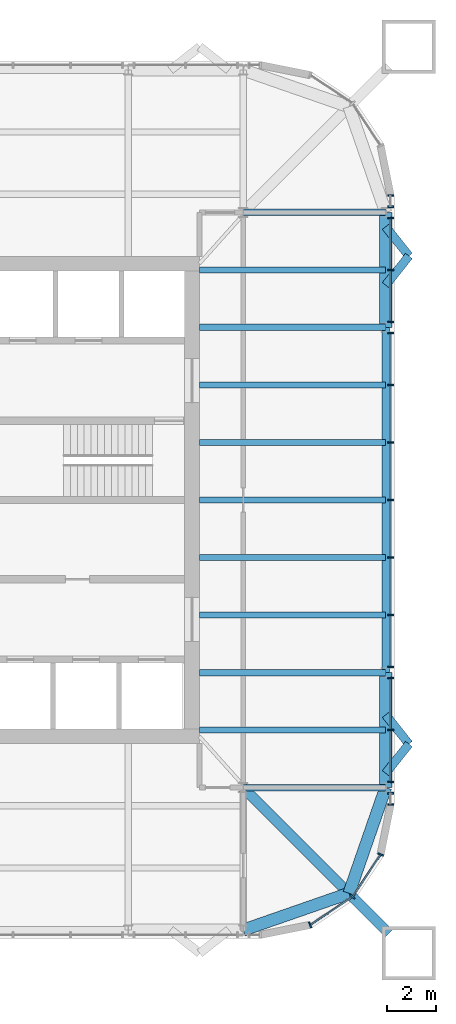
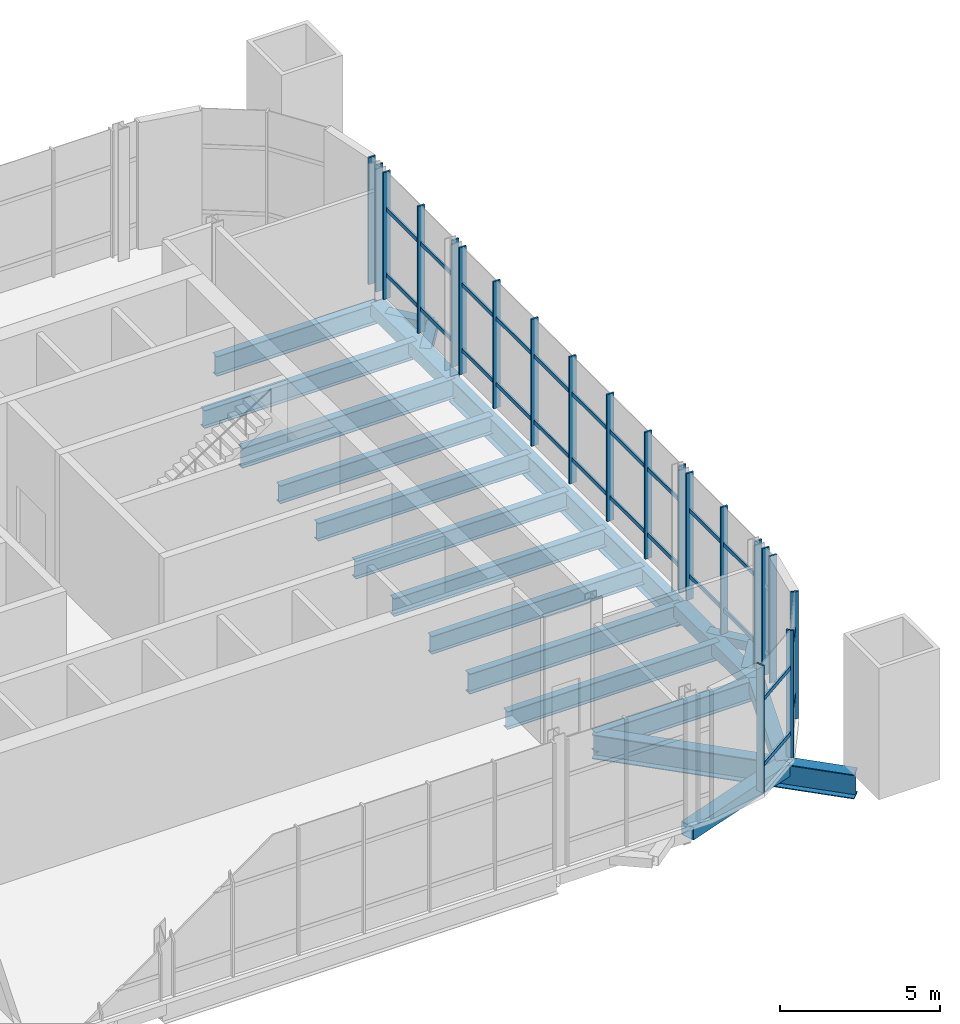
# One storey, part 4 of 15: 44 members, 21 beams, 6 elements without a shape of their own.
"""IFC4 building model written with IfcOpenShell, lengths in metres."""

from ifc_helpers import new_model, si_unit, direction, frame, origin, origin_2d, place, context, subcontext, project, spatial, rectangle, hollow_rectangle, i_section, extrude, material, material_profile, profile_set, type_object, element, aggregate, save


model = new_model("IFC4")

# Units and contexts
model_context = context("Model", 3, precision=1e-05, world=origin(), true_north=direction((0.0, 1.0)))
body_context = subcontext(model_context, "Body", "Model", "MODEL_VIEW")
ifc_project = project(units=[si_unit("LENGTHUNIT", "METRE"), si_unit("AREAUNIT", "SQUARE_METRE"), si_unit("VOLUMEUNIT", "CUBIC_METRE"), si_unit("PLANEANGLEUNIT", "RADIAN"), si_unit("MASSUNIT", "GRAM", prefix="KILO")], contexts=[model_context])

# Site, building, storey
site_placement = place(None, origin())
site = spatial("IfcSite", under=ifc_project, at=site_placement, CompositionType="ELEMENT")
building_placement = place(site_placement, origin())
building = spatial("IfcBuilding", under=site, at=building_placement, Name="Turquesa Mirador Hotel Tower", CompositionType="ELEMENT")
storey_placement = place(building_placement, frame((0.0, 0.0, 261.699951171875)))
storey = spatial("IfcBuildingStorey", under=building, at=storey_placement, Name="L71", CompositionType="ELEMENT", Elevation=261.699951171875)

# Beams
ifc_material_1 = material(Name="Steel ASTM A572 Grade 50", Category="steel")
ifc_material_profile_1 = material_profile(ifc_material_1, hollow_rectangle(XDim=0.5, YDim=0.5, WallThickness=0.01611328125, at=origin_2d()), Name="BOX500X500X16")
ifc_profile_set_1 = profile_set([ifc_material_profile_1], Name="Steel ASTM A572 Grade 50")
beam_type_1 = type_object("IfcBeamType", Name="BEAM BOX500X500X16", PredefinedType="BEAM", material=ifc_profile_set_1)
for number, where, z_axis, x_axis, name in (
    (1, (72.64990234375, 33.199951171875, -0.419921875), (0.0, 1.0, 0.0), (-1.0, 0.0, 0.0), "EB-L71-E-L"),
    (2, (72.64990234375, 52.080078125, -0.419921875), (0.0, 1.0, 0.0), (-1.0, 0.0, 0.0), "EB-L71-E-R"),
):
    element("IfcBeam", number, at=place(storey_placement, frame(where, z_axis=z_axis, x_axis=x_axis)), inside=storey, type_object=beam_type_1, Name=name, PredefinedType="BEAM", context=body_context, shape_type="SweptSolid", body=[
        extrude(hollow_rectangle(XDim=0.5, YDim=0.5, WallThickness=0.01611328125, at=origin_2d()), origin(), (0.0, 0.0, 1.0), 4.719970703125),
    ])
for number, where, z_axis, x_axis, name in (
    (3, (72.64990234375, 33.199951171875, -0.419921875), (-0.328170356092, -0.944618556552, 0.0), (0.944618556552, -0.328170356092, 0.0), "KE-L71-4-0"),
    (4, (71.1416015625, 28.8583984375, -0.419921875), (-0.944618556552, -0.328170356092, 0.0), (0.328170356092, -0.944618556552, 0.0), "KE-L71-4-1"),
):
    element("IfcBeam", number, at=place(storey_placement, frame(where, z_axis=z_axis, x_axis=x_axis)), inside=storey, type_object=beam_type_1, Name=name, PredefinedType="BEAM", context=body_context, shape_type="SweptSolid", body=[
        extrude(hollow_rectangle(XDim=0.5, YDim=0.5, WallThickness=0.01611328125, at=origin_2d()), origin(), (0.0, 0.0, 1.0), 4.59619140625),
    ])
ifc_material_2 = material(Name="Steel ASTM A992 Grade 50", Category="steel")
ifc_material_profile_2 = material_profile(ifc_material_2, i_section(OverallWidth=0.25390625, OverallDepth=0.683349609375, WebThickness=0.012451171875, FlangeThickness=0.018798828125, at=origin_2d()), Name="W27X94")
ifc_profile_set_2 = profile_set([ifc_material_profile_2], Name="Steel ASTM A992 Grade 50")
beam_type_2 = type_object("IfcBeamType", Name="BEAM W27X94", PredefinedType="BEAM", material=ifc_profile_set_2)
for number, where, z_axis, x_axis, name in (
    (5, (72.64990234375, 35.56005859375, -0.511474609375), (-1.0, 0.0, 0.0), (0.0, -1.0, 0.0), "BM-L71-E--9.44"),
    (6, (72.64990234375, 40.280029296875, -0.511474609375), (-1.0, 0.0, 0.0), (0.0, -1.0, 0.0), "BM-L71-E--4.72"),
    (7, (72.64990234375, 42.639892578125, -0.511474609375), (-1.0, 0.0, 0.0), (0.0, -1.0, 0.0), "BM-L71-E--2.36"),
    (8, (72.64990234375, 45.0, -0.511474609375), (-1.0, 0.0, 0.0), (0.0, -1.0, 0.0), "BM-L71-E-+0.00"),
    (9, (72.64990234375, 47.360107421875, -0.511474609375), (-1.0, 0.0, 0.0), (0.0, -1.0, 0.0), "BM-L71-E-+2.36"),
    (10, (72.64990234375, 49.719970703125, -0.511474609375), (-1.0, 0.0, 0.0), (0.0, -1.0, 0.0), "BM-L71-E-+4.72"),
    (11, (72.64990234375, 54.43994140625, -0.511474609375), (-1.0, 0.0, 0.0), (0.0, -1.0, 0.0), "BM-L71-E-+9.44"),
):
    element("IfcBeam", number, at=place(storey_placement, frame(where, z_axis=z_axis, x_axis=x_axis)), inside=storey, type_object=beam_type_2, Name=name, PredefinedType="BEAM", context=body_context, shape_type="SweptSolid", body=[
        extrude(i_section(OverallWidth=0.25390625, OverallDepth=0.683349609375, WebThickness=0.012451171875, FlangeThickness=0.018798828125, at=origin_2d()), origin(), (0.0, 0.0, 1.0), 7.64990234375),
    ])
ifc_material_3 = material(Name="Steel ASTM A992 Grade 50", Category="steel")
ifc_material_profile_3 = material_profile(ifc_material_3, i_section(OverallWidth=0.2666015625, OverallDepth=0.761962890625, WebThickness=0.014404296875, FlangeThickness=0.021484375, at=origin_2d()), Name="W30X116")
ifc_profile_set_3 = profile_set([ifc_material_profile_3], Name="Steel ASTM A992 Grade 50")
beam_type_3 = type_object("IfcBeamType", Name="BEAM W30X116", PredefinedType="BEAM", material=ifc_profile_set_3)
for number, where, z_axis, x_axis, name in (
    (12, (72.64990234375, 37.919921875, -0.551025390625), (-1.0, 0.0, 0.0), (0.0, -1.0, 0.0), "GD-L71-E--7.08"),
    (13, (72.64990234375, 52.080078125, -0.551025390625), (-1.0, 0.0, 0.0), (0.0, -1.0, 0.0), "GD-L71-E-+7.08"),
):
    element("IfcBeam", number, at=place(storey_placement, frame(where, z_axis=z_axis, x_axis=x_axis)), inside=storey, type_object=beam_type_3, Name=name, PredefinedType="BEAM", context=body_context, shape_type="SweptSolid", body=[
        extrude(i_section(OverallWidth=0.2666015625, OverallDepth=0.761962890625, WebThickness=0.014404296875, FlangeThickness=0.021484375, at=origin_2d()), origin(), (0.0, 0.0, 1.0), 7.64990234375),
    ])
for number, where, z_axis, x_axis, name in (
    (14, (72.64990234375, 33.199951171875, -0.551025390625), (-1.0, 0.0, 0.0), (0.0, -1.0, 0.0), "GK-L71-E--11.80"),
    (15, (72.64990234375, 56.800048828125, -0.551025390625), (-1.0, 0.0, 0.0), (0.0, -1.0, 0.0), "GK-L71-E-+11.80"),
):
    element("IfcBeam", number, at=place(storey_placement, frame(where, z_axis=z_axis, x_axis=x_axis)), inside=storey, type_object=beam_type_3, Name=name, PredefinedType="BEAM", context=body_context, shape_type="SweptSolid", body=[
        extrude(i_section(OverallWidth=0.2666015625, OverallDepth=0.761962890625, WebThickness=0.014404296875, FlangeThickness=0.021484375, at=origin_2d()), origin(), (0.0, 0.0, 1.0), 5.849853515625),
    ])
ifc_material_4 = material(Name="Steel ASTM A992 Grade 50", Category="steel")
ifc_material_profile_4 = material_profile(ifc_material_4, i_section(OverallWidth=0.3046875, OverallDepth=0.911865234375, WebThickness=0.015869140625, FlangeThickness=0.02392578125, at=origin_2d()), Name="W36X150")
ifc_profile_set_4 = profile_set([ifc_material_profile_4], Name="Steel ASTM A992 Grade 50")
beam_type_4 = type_object("IfcBeamType", Name="BEAM W36X150", PredefinedType="BEAM", material=ifc_profile_set_4)
beam_1_placement = place(storey_placement, frame((72.64990234375, 37.919921875, -0.6259765625), z_axis=(0.0, 1.0, 0.0), x_axis=(-1.0, 0.0, 0.0)))
element("IfcBeam", 16, at=beam_1_placement, inside=storey, type_object=beam_type_4, Name="EB-L71-E-C", PredefinedType="BEAM", context=body_context, shape_type="SweptSolid", body=[
    extrude(i_section(OverallWidth=0.3046875, OverallDepth=0.911865234375, WebThickness=0.015869140625, FlangeThickness=0.02392578125, at=origin_2d()), origin(), (0.0, 0.0, 1.0), 14.16015625),
])
ifc_material_5 = material(Name="Steel ASTM A992 Grade 50", Category="steel")
ifc_material_profile_5 = material_profile(ifc_material_5, i_section(OverallWidth=0.419189453125, OverallDepth=0.927001953125, WebThickness=0.019287109375, FlangeThickness=0.031982421875, at=origin_2d()), Name="W36X231")
ifc_profile_set_5 = profile_set([ifc_material_profile_5], Name="Steel ASTM A992 Grade 50")
beam_type_5 = type_object("IfcBeamType", Name="BEAM W36X231", PredefinedType="BEAM", material=ifc_profile_set_5)
beam_2_placement = place(storey_placement, frame((66.800048828125, 33.199951171875, -0.633544921875), z_axis=(0.707106781187, -0.707106781187, 0.0), x_axis=(0.707106781187, 0.707106781187, 0.0)))
element("IfcBeam", 17, at=beam_2_placement, inside=storey, type_object=beam_type_5, Name="KD-L71-4", PredefinedType="BEAM", context=body_context, shape_type="SweptSolid", body=[
    extrude(i_section(OverallWidth=0.419189453125, OverallDepth=0.927001953125, WebThickness=0.019287109375, FlangeThickness=0.031982421875, at=origin_2d()), origin(), (0.0, 0.0, 1.0), 8.46240234375),
])
ifc_material_6 = material(Name="Steel ASTM A500 Grade C", Category="steel")
ifc_material_profile_6 = material_profile(ifc_material_6, hollow_rectangle(XDim=0.355712890625, YDim=0.355712890625, WallThickness=0.0146484375, at=origin_2d()), Name="HSS14X14X5/8")
ifc_profile_set_6 = profile_set([ifc_material_profile_6], Name="Steel ASTM A500 Grade C")
beam_type_6 = type_object("IfcBeamType", Name="BRACE STRUT HSS14X14X5/8", PredefinedType="BEAM", material=ifc_profile_set_6)
for number, where, z_axis, x_axis, name in (
    (18, (73.60009765625, 55.015380859375, -0.34765625), (-0.620796907089, -0.783971428146, 0.0), (0.783971428146, -0.620796907089, 0.0), "Brace strut"),
    (19, (73.60009765625, 55.015380859375, -0.34765625), (-0.620796907089, 0.783971428146, 0.0), (-0.783971428146, -0.620796907089, 0.0), "Brace strut"),
    (20, (73.60009765625, 34.984619140625, -0.34765625), (-0.620796907089, -0.783971428146, 0.0), (0.783971428146, -0.620796907089, 0.0), "Brace strut"),
    (21, (73.60009765625, 34.984619140625, -0.34765625), (-0.620796907089, 0.783971428146, 0.0), (-0.783971428146, -0.620796907089, 0.0), "Brace strut"),
):
    element("IfcBeam", number, at=place(storey_placement, frame(where, z_axis=z_axis, x_axis=x_axis)), inside=storey, type_object=beam_type_6, Name=name, PredefinedType="BEAM", context=body_context, shape_type="SweptSolid", body=[
        extrude(hollow_rectangle(XDim=0.355712890625, YDim=0.355712890625, WallThickness=0.0146484375, at=origin_2d()), origin(), (0.0, 0.0, 1.0), 1.530517578125),
    ])

# Curtain wall, members
ifc_material_7 = material(Name="Aluminium extrusion", Category="aluminium")
curtain_wall_type = type_object("IfcCurtainWallType", Name="CW-5 SKY RESTAURANT CURTAIN WALL", PredefinedType="USERDEFINED", material=ifc_material_7)
curtain_wall_1_placement = place(storey_placement, origin())
curtain_wall_1 = element("IfcCurtainWall", 22, at=curtain_wall_1_placement, inside=storey, type_object=curtain_wall_type, Name="CW-5 SKY RESTAURANT CURTAIN WALL L71", ObjectType="CURTAIN WALL", PredefinedType="USERDEFINED")
ifc_material_8 = material(Name="Aluminium extrusion", Category="aluminium")
ifc_material_profile_7 = material_profile(ifc_material_8, rectangle(XDim=0.06494140625, YDim=0.25, at=origin_2d()), Name="MULLION 65X250")
ifc_profile_set_7 = profile_set([ifc_material_profile_7], Name="Aluminium extrusion")
member_type_1 = type_object("IfcMemberType", Name="CW MULLION 65X250", PredefinedType="MULLION", material=ifc_profile_set_7)
member_1_placement = place(storey_placement, frame((69.54736328125, 27.55712890625, 0.0), z_axis=(0.0, 0.0, 1.0), x_axis=(0.923879532511, 0.382683432365, 0.0)))
member_1 = element("IfcMember", 23, at=member_1_placement, type_object=member_type_1, Name="Mullion", PredefinedType="MULLION", context=body_context, shape_type="SweptSolid", body=[
    extrude(rectangle(XDim=0.06494140625, YDim=0.25, at=origin_2d()), origin(), (0.0, 0.0, 1.0), 4.830078125),
])
member_2_placement = place(storey_placement, frame((71.282958984375, 28.717041015625, 0.0), z_axis=(0.0, 0.0, 1.0), x_axis=(0.707106781187, 0.707106781187, 0.0)))
member_2 = element("IfcMember", 24, at=member_2_placement, type_object=member_type_1, Name="Mullion", PredefinedType="MULLION", context=body_context, shape_type="SweptSolid", body=[
    extrude(rectangle(XDim=0.06494140625, YDim=0.25, at=origin_2d()), origin(), (0.0, 0.0, 1.0), 4.830078125),
])
member_3_placement = place(storey_placement, frame((72.44287109375, 30.45263671875, 0.0), z_axis=(0.0, 0.0, 1.0), x_axis=(0.382683432365, 0.923879532511, 0.0)))
member_3 = element("IfcMember", 25, at=member_3_placement, type_object=member_type_1, Name="Mullion", PredefinedType="MULLION", context=body_context, shape_type="SweptSolid", body=[
    extrude(rectangle(XDim=0.06494140625, YDim=0.25, at=origin_2d()), origin(), (0.0, 0.0, 1.0), 4.830078125),
])

curtain_wall_2_placement = place(storey_placement, origin())
curtain_wall_2 = element("IfcCurtainWall", 26, at=curtain_wall_2_placement, inside=storey, type_object=curtain_wall_type, Name="CW-5 SKY RESTAURANT CURTAIN WALL L71", ObjectType="CURTAIN WALL", PredefinedType="USERDEFINED")
member_4_placement = place(storey_placement, frame((72.85009765625, 32.5, 0.0), z_axis=(0.0, 0.0, 1.0), x_axis=(0.0, 1.0, 0.0)))
member_4 = element("IfcMember", 27, at=member_4_placement, type_object=member_type_1, Name="Mullion", PredefinedType="MULLION", context=body_context, shape_type="SweptSolid", body=[
    extrude(rectangle(XDim=0.06494140625, YDim=0.25, at=origin_2d()), origin(), (0.0, 0.0, 1.0), 4.830078125),
])
member_5_placement = place(storey_placement, frame((72.85009765625, 32.966064453125, 0.0), z_axis=(0.0, 0.0, 1.0), x_axis=(0.0, 1.0, 0.0)))
member_5 = element("IfcMember", 28, at=member_5_placement, type_object=member_type_1, Name="Mullion", PredefinedType="MULLION", context=body_context, shape_type="SweptSolid", body=[
    extrude(rectangle(XDim=0.06494140625, YDim=0.25, at=origin_2d()), origin(), (0.0, 0.0, 1.0), 4.830078125),
])
aggregate(curtain_wall_2, [member_4, member_5])

curtain_wall_3_placement = place(storey_placement, origin())
curtain_wall_3 = element("IfcCurtainWall", 29, at=curtain_wall_3_placement, inside=storey, type_object=curtain_wall_type, Name="CW-5 SKY RESTAURANT CURTAIN WALL L71", ObjectType="CURTAIN WALL", PredefinedType="USERDEFINED")
member_6_placement = place(storey_placement, frame((72.85009765625, 33.433837890625, 0.0), z_axis=(0.0, 0.0, 1.0), x_axis=(0.0, 1.0, 0.0)))
member_6 = element("IfcMember", 30, at=member_6_placement, type_object=member_type_1, Name="Mullion", PredefinedType="MULLION", context=body_context, shape_type="SweptSolid", body=[
    extrude(rectangle(XDim=0.06494140625, YDim=0.25, at=origin_2d()), origin(), (0.0, 0.0, 1.0), 4.830078125),
])
member_7_placement = place(storey_placement, frame((72.85009765625, 35.56005859375, 0.0), z_axis=(0.0, 0.0, 1.0), x_axis=(0.0, 1.0, 0.0)))
member_7 = element("IfcMember", 31, at=member_7_placement, type_object=member_type_1, Name="Mullion", PredefinedType="MULLION", context=body_context, shape_type="SweptSolid", body=[
    extrude(rectangle(XDim=0.06494140625, YDim=0.25, at=origin_2d()), origin(), (0.0, 0.0, 1.0), 4.830078125),
])
member_8_placement = place(storey_placement, frame((72.85009765625, 37.68603515625, 0.0), z_axis=(0.0, 0.0, 1.0), x_axis=(0.0, 1.0, 0.0)))
member_8 = element("IfcMember", 32, at=member_8_placement, type_object=member_type_1, Name="Mullion", PredefinedType="MULLION", context=body_context, shape_type="SweptSolid", body=[
    extrude(rectangle(XDim=0.06494140625, YDim=0.25, at=origin_2d()), origin(), (0.0, 0.0, 1.0), 4.830078125),
])

curtain_wall_4_placement = place(storey_placement, origin())
curtain_wall_4 = element("IfcCurtainWall", 33, at=curtain_wall_4_placement, inside=storey, type_object=curtain_wall_type, Name="CW-5 SKY RESTAURANT CURTAIN WALL L71", ObjectType="CURTAIN WALL", PredefinedType="USERDEFINED")
member_9_placement = place(storey_placement, frame((72.85009765625, 38.15380859375, 0.0), z_axis=(0.0, 0.0, 1.0), x_axis=(0.0, 1.0, 0.0)))
member_9 = element("IfcMember", 34, at=member_9_placement, type_object=member_type_1, Name="Mullion", PredefinedType="MULLION", context=body_context, shape_type="SweptSolid", body=[
    extrude(rectangle(XDim=0.06494140625, YDim=0.25, at=origin_2d()), origin(), (0.0, 0.0, 1.0), 4.830078125),
])
member_10_placement = place(storey_placement, frame((72.85009765625, 40.280029296875, 0.0), z_axis=(0.0, 0.0, 1.0), x_axis=(0.0, 1.0, 0.0)))
member_10 = element("IfcMember", 35, at=member_10_placement, type_object=member_type_1, Name="Mullion", PredefinedType="MULLION", context=body_context, shape_type="SweptSolid", body=[
    extrude(rectangle(XDim=0.06494140625, YDim=0.25, at=origin_2d()), origin(), (0.0, 0.0, 1.0), 4.830078125),
])
member_11_placement = place(storey_placement, frame((72.85009765625, 42.639892578125, 0.0), z_axis=(0.0, 0.0, 1.0), x_axis=(0.0, 1.0, 0.0)))
member_11 = element("IfcMember", 36, at=member_11_placement, type_object=member_type_1, Name="Mullion", PredefinedType="MULLION", context=body_context, shape_type="SweptSolid", body=[
    extrude(rectangle(XDim=0.06494140625, YDim=0.25, at=origin_2d()), origin(), (0.0, 0.0, 1.0), 4.830078125),
])
member_12_placement = place(storey_placement, frame((72.85009765625, 45.0, 0.0), z_axis=(0.0, 0.0, 1.0), x_axis=(0.0, 1.0, 0.0)))
member_12 = element("IfcMember", 37, at=member_12_placement, type_object=member_type_1, Name="Mullion", PredefinedType="MULLION", context=body_context, shape_type="SweptSolid", body=[
    extrude(rectangle(XDim=0.06494140625, YDim=0.25, at=origin_2d()), origin(), (0.0, 0.0, 1.0), 4.830078125),
])
member_13_placement = place(storey_placement, frame((72.85009765625, 47.360107421875, 0.0), z_axis=(0.0, 0.0, 1.0), x_axis=(0.0, 1.0, 0.0)))
member_13 = element("IfcMember", 38, at=member_13_placement, type_object=member_type_1, Name="Mullion", PredefinedType="MULLION", context=body_context, shape_type="SweptSolid", body=[
    extrude(rectangle(XDim=0.06494140625, YDim=0.25, at=origin_2d()), origin(), (0.0, 0.0, 1.0), 4.830078125),
])
member_14_placement = place(storey_placement, frame((72.85009765625, 49.719970703125, 0.0), z_axis=(0.0, 0.0, 1.0), x_axis=(0.0, 1.0, 0.0)))
member_14 = element("IfcMember", 39, at=member_14_placement, type_object=member_type_1, Name="Mullion", PredefinedType="MULLION", context=body_context, shape_type="SweptSolid", body=[
    extrude(rectangle(XDim=0.06494140625, YDim=0.25, at=origin_2d()), origin(), (0.0, 0.0, 1.0), 4.830078125),
])
member_15_placement = place(storey_placement, frame((72.85009765625, 51.84619140625, 0.0), z_axis=(0.0, 0.0, 1.0), x_axis=(0.0, 1.0, 0.0)))
member_15 = element("IfcMember", 40, at=member_15_placement, type_object=member_type_1, Name="Mullion", PredefinedType="MULLION", context=body_context, shape_type="SweptSolid", body=[
    extrude(rectangle(XDim=0.06494140625, YDim=0.25, at=origin_2d()), origin(), (0.0, 0.0, 1.0), 4.830078125),
])

curtain_wall_5_placement = place(storey_placement, origin())
curtain_wall_5 = element("IfcCurtainWall", 41, at=curtain_wall_5_placement, inside=storey, type_object=curtain_wall_type, Name="CW-5 SKY RESTAURANT CURTAIN WALL L71", ObjectType="CURTAIN WALL", PredefinedType="USERDEFINED")
member_16_placement = place(storey_placement, frame((72.85009765625, 52.31396484375, 0.0), z_axis=(0.0, 0.0, 1.0), x_axis=(0.0, 1.0, 0.0)))
member_16 = element("IfcMember", 42, at=member_16_placement, type_object=member_type_1, Name="Mullion", PredefinedType="MULLION", context=body_context, shape_type="SweptSolid", body=[
    extrude(rectangle(XDim=0.06494140625, YDim=0.25, at=origin_2d()), origin(), (0.0, 0.0, 1.0), 4.830078125),
])
member_17_placement = place(storey_placement, frame((72.85009765625, 54.43994140625, 0.0), z_axis=(0.0, 0.0, 1.0), x_axis=(0.0, 1.0, 0.0)))
member_17 = element("IfcMember", 43, at=member_17_placement, type_object=member_type_1, Name="Mullion", PredefinedType="MULLION", context=body_context, shape_type="SweptSolid", body=[
    extrude(rectangle(XDim=0.06494140625, YDim=0.25, at=origin_2d()), origin(), (0.0, 0.0, 1.0), 4.830078125),
])
member_18_placement = place(storey_placement, frame((72.85009765625, 56.566162109375, 0.0), z_axis=(0.0, 0.0, 1.0), x_axis=(0.0, 1.0, 0.0)))
member_18 = element("IfcMember", 44, at=member_18_placement, type_object=member_type_1, Name="Mullion", PredefinedType="MULLION", context=body_context, shape_type="SweptSolid", body=[
    extrude(rectangle(XDim=0.06494140625, YDim=0.25, at=origin_2d()), origin(), (0.0, 0.0, 1.0), 4.830078125),
])

curtain_wall_6_placement = place(storey_placement, origin())
curtain_wall_6 = element("IfcCurtainWall", 45, at=curtain_wall_6_placement, inside=storey, type_object=curtain_wall_type, Name="CW-5 SKY RESTAURANT CURTAIN WALL L71", ObjectType="CURTAIN WALL", PredefinedType="USERDEFINED")
member_19_placement = place(storey_placement, frame((72.85009765625, 57.033935546875, 0.0), z_axis=(0.0, 0.0, 1.0), x_axis=(0.0, 1.0, 0.0)))
member_19 = element("IfcMember", 46, at=member_19_placement, type_object=member_type_1, Name="Mullion", PredefinedType="MULLION", context=body_context, shape_type="SweptSolid", body=[
    extrude(rectangle(XDim=0.06494140625, YDim=0.25, at=origin_2d()), origin(), (0.0, 0.0, 1.0), 4.830078125),
])
member_20_placement = place(storey_placement, frame((72.85009765625, 57.5, 0.0), z_axis=(0.0, 0.0, 1.0), x_axis=(0.0, 1.0, 0.0)))
member_20 = element("IfcMember", 47, at=member_20_placement, type_object=member_type_1, Name="Mullion", PredefinedType="MULLION", context=body_context, shape_type="SweptSolid", body=[
    extrude(rectangle(XDim=0.06494140625, YDim=0.25, at=origin_2d()), origin(), (0.0, 0.0, 1.0), 4.830078125),
])
aggregate(curtain_wall_6, [member_19, member_20])

# Member
ifc_material_9 = material(Name="Aluminium extrusion", Category="aluminium")
ifc_material_profile_8 = material_profile(ifc_material_9, rectangle(XDim=0.06494140625, YDim=0.14990234375, at=origin_2d()), Name="TRANSOM 65X150")
ifc_profile_set_8 = profile_set([ifc_material_profile_8], Name="Aluminium extrusion")
member_type_2 = type_object("IfcMemberType", Name="CW TRANSOM 65X150", PredefinedType="USERDEFINED", material=ifc_profile_set_8)
member_21_placement = place(storey_placement, frame((69.574462890625, 27.5751953125, 0.900146484375), z_axis=(0.831436961136, 0.555619095835, 0.0), x_axis=(-0.555619095835, 0.831436961136, 0.0)))
member_21 = element("IfcMember", 48, at=member_21_placement, type_object=member_type_2, Name="Transom", ObjectType="TRANSOM", PredefinedType="USERDEFINED", context=body_context, shape_type="SweptSolid", body=[
    extrude(rectangle(XDim=0.06494140625, YDim=0.14990234375, at=origin_2d()), origin(), (0.0, 0.0, 1.0), 2.0224609375),
])

member_22_placement = place(storey_placement, frame((69.574462890625, 27.5751953125, 3.400146484375), z_axis=(0.831436961136, 0.555619095835, 0.0), x_axis=(-0.555619095835, 0.831436961136, 0.0)))
member_22 = element("IfcMember", 49, at=member_22_placement, type_object=member_type_2, Name="Transom", ObjectType="TRANSOM", PredefinedType="USERDEFINED", context=body_context, shape_type="SweptSolid", body=[
    extrude(rectangle(XDim=0.06494140625, YDim=0.14990234375, at=origin_2d()), origin(), (0.0, 0.0, 1.0), 2.0224609375),
])

member_23_placement = place(storey_placement, frame((71.301025390625, 28.743896484375, 0.900146484375), z_axis=(0.555619095835, 0.831436961136, 0.0), x_axis=(-0.831436961136, 0.555619095835, 0.0)))
member_23 = element("IfcMember", 50, at=member_23_placement, type_object=member_type_2, Name="Transom", ObjectType="TRANSOM", PredefinedType="USERDEFINED", context=body_context, shape_type="SweptSolid", body=[
    extrude(rectangle(XDim=0.06494140625, YDim=0.14990234375, at=origin_2d()), origin(), (0.0, 0.0, 1.0), 2.0224609375),
])

member_24_placement = place(storey_placement, frame((71.301025390625, 28.743896484375, 3.400146484375), z_axis=(0.555619095835, 0.831436961136, 0.0), x_axis=(-0.831436961136, 0.555619095835, 0.0)))
member_24 = element("IfcMember", 51, at=member_24_placement, type_object=member_type_2, Name="Transom", ObjectType="TRANSOM", PredefinedType="USERDEFINED", context=body_context, shape_type="SweptSolid", body=[
    extrude(rectangle(XDim=0.06494140625, YDim=0.14990234375, at=origin_2d()), origin(), (0.0, 0.0, 1.0), 2.0224609375),
])

aggregate(curtain_wall_1, [member_1, member_2, member_3, member_21, member_22, member_23, member_24])

member_25_placement = place(storey_placement, frame((72.85009765625, 33.46630859375, 0.900146484375), z_axis=(0.0, 1.0, 0.0), x_axis=(-1.0, 0.0, 0.0)))
member_25 = element("IfcMember", 52, at=member_25_placement, type_object=member_type_2, Name="Transom", ObjectType="TRANSOM", PredefinedType="USERDEFINED", context=body_context, shape_type="SweptSolid", body=[
    extrude(rectangle(XDim=0.06494140625, YDim=0.14990234375, at=origin_2d()), origin(), (0.0, 0.0, 1.0), 2.061279296875),
])

member_26_placement = place(storey_placement, frame((72.85009765625, 33.46630859375, 3.400146484375), z_axis=(0.0, 1.0, 0.0), x_axis=(-1.0, 0.0, 0.0)))
member_26 = element("IfcMember", 53, at=member_26_placement, type_object=member_type_2, Name="Transom", ObjectType="TRANSOM", PredefinedType="USERDEFINED", context=body_context, shape_type="SweptSolid", body=[
    extrude(rectangle(XDim=0.06494140625, YDim=0.14990234375, at=origin_2d()), origin(), (0.0, 0.0, 1.0), 2.061279296875),
])

member_27_placement = place(storey_placement, frame((72.85009765625, 35.592529296875, 0.900146484375), z_axis=(0.0, 1.0, 0.0), x_axis=(-1.0, 0.0, 0.0)))
member_27 = element("IfcMember", 54, at=member_27_placement, type_object=member_type_2, Name="Transom", ObjectType="TRANSOM", PredefinedType="USERDEFINED", context=body_context, shape_type="SweptSolid", body=[
    extrude(rectangle(XDim=0.06494140625, YDim=0.14990234375, at=origin_2d()), origin(), (0.0, 0.0, 1.0), 2.06103515625),
])

member_28_placement = place(storey_placement, frame((72.85009765625, 35.592529296875, 3.400146484375), z_axis=(0.0, 1.0, 0.0), x_axis=(-1.0, 0.0, 0.0)))
member_28 = element("IfcMember", 55, at=member_28_placement, type_object=member_type_2, Name="Transom", ObjectType="TRANSOM", PredefinedType="USERDEFINED", context=body_context, shape_type="SweptSolid", body=[
    extrude(rectangle(XDim=0.06494140625, YDim=0.14990234375, at=origin_2d()), origin(), (0.0, 0.0, 1.0), 2.06103515625),
])

aggregate(curtain_wall_3, [member_6, member_7, member_8, member_25, member_26, member_27, member_28])

member_29_placement = place(storey_placement, frame((72.85009765625, 38.186279296875, 0.900146484375), z_axis=(0.0, 1.0, 0.0), x_axis=(-1.0, 0.0, 0.0)))
member_29 = element("IfcMember", 56, at=member_29_placement, type_object=member_type_2, Name="Transom", ObjectType="TRANSOM", PredefinedType="USERDEFINED", context=body_context, shape_type="SweptSolid", body=[
    extrude(rectangle(XDim=0.06494140625, YDim=0.14990234375, at=origin_2d()), origin(), (0.0, 0.0, 1.0), 2.061279296875),
])

member_30_placement = place(storey_placement, frame((72.85009765625, 38.186279296875, 3.400146484375), z_axis=(0.0, 1.0, 0.0), x_axis=(-1.0, 0.0, 0.0)))
member_30 = element("IfcMember", 57, at=member_30_placement, type_object=member_type_2, Name="Transom", ObjectType="TRANSOM", PredefinedType="USERDEFINED", context=body_context, shape_type="SweptSolid", body=[
    extrude(rectangle(XDim=0.06494140625, YDim=0.14990234375, at=origin_2d()), origin(), (0.0, 0.0, 1.0), 2.061279296875),
])

member_31_placement = place(storey_placement, frame((72.85009765625, 40.3125, 0.900146484375), z_axis=(0.0, 1.0, 0.0), x_axis=(-1.0, 0.0, 0.0)))
member_31 = element("IfcMember", 58, at=member_31_placement, type_object=member_type_2, Name="Transom", ObjectType="TRANSOM", PredefinedType="USERDEFINED", context=body_context, shape_type="SweptSolid", body=[
    extrude(rectangle(XDim=0.06494140625, YDim=0.14990234375, at=origin_2d()), origin(), (0.0, 0.0, 1.0), 2.294921875),
])

member_32_placement = place(storey_placement, frame((72.85009765625, 40.3125, 3.400146484375), z_axis=(0.0, 1.0, 0.0), x_axis=(-1.0, 0.0, 0.0)))
member_32 = element("IfcMember", 59, at=member_32_placement, type_object=member_type_2, Name="Transom", ObjectType="TRANSOM", PredefinedType="USERDEFINED", context=body_context, shape_type="SweptSolid", body=[
    extrude(rectangle(XDim=0.06494140625, YDim=0.14990234375, at=origin_2d()), origin(), (0.0, 0.0, 1.0), 2.294921875),
])

member_33_placement = place(storey_placement, frame((72.85009765625, 42.672607421875, 0.900146484375), z_axis=(0.0, 1.0, 0.0), x_axis=(-1.0, 0.0, 0.0)))
member_33 = element("IfcMember", 60, at=member_33_placement, type_object=member_type_2, Name="Transom", ObjectType="TRANSOM", PredefinedType="USERDEFINED", context=body_context, shape_type="SweptSolid", body=[
    extrude(rectangle(XDim=0.06494140625, YDim=0.14990234375, at=origin_2d()), origin(), (0.0, 0.0, 1.0), 2.294921875),
])

member_34_placement = place(storey_placement, frame((72.85009765625, 42.672607421875, 3.400146484375), z_axis=(0.0, 1.0, 0.0), x_axis=(-1.0, 0.0, 0.0)))
member_34 = element("IfcMember", 61, at=member_34_placement, type_object=member_type_2, Name="Transom", ObjectType="TRANSOM", PredefinedType="USERDEFINED", context=body_context, shape_type="SweptSolid", body=[
    extrude(rectangle(XDim=0.06494140625, YDim=0.14990234375, at=origin_2d()), origin(), (0.0, 0.0, 1.0), 2.294921875),
])

member_35_placement = place(storey_placement, frame((72.85009765625, 45.032470703125, 0.900146484375), z_axis=(0.0, 1.0, 0.0), x_axis=(-1.0, 0.0, 0.0)))
member_35 = element("IfcMember", 62, at=member_35_placement, type_object=member_type_2, Name="Transom", ObjectType="TRANSOM", PredefinedType="USERDEFINED", context=body_context, shape_type="SweptSolid", body=[
    extrude(rectangle(XDim=0.06494140625, YDim=0.14990234375, at=origin_2d()), origin(), (0.0, 0.0, 1.0), 2.294921875),
])

member_36_placement = place(storey_placement, frame((72.85009765625, 45.032470703125, 3.400146484375), z_axis=(0.0, 1.0, 0.0), x_axis=(-1.0, 0.0, 0.0)))
member_36 = element("IfcMember", 63, at=member_36_placement, type_object=member_type_2, Name="Transom", ObjectType="TRANSOM", PredefinedType="USERDEFINED", context=body_context, shape_type="SweptSolid", body=[
    extrude(rectangle(XDim=0.06494140625, YDim=0.14990234375, at=origin_2d()), origin(), (0.0, 0.0, 1.0), 2.294921875),
])

member_37_placement = place(storey_placement, frame((72.85009765625, 47.392578125, 0.900146484375), z_axis=(0.0, 1.0, 0.0), x_axis=(-1.0, 0.0, 0.0)))
member_37 = element("IfcMember", 64, at=member_37_placement, type_object=member_type_2, Name="Transom", ObjectType="TRANSOM", PredefinedType="USERDEFINED", context=body_context, shape_type="SweptSolid", body=[
    extrude(rectangle(XDim=0.06494140625, YDim=0.14990234375, at=origin_2d()), origin(), (0.0, 0.0, 1.0), 2.294921875),
])

member_38_placement = place(storey_placement, frame((72.85009765625, 47.392578125, 3.400146484375), z_axis=(0.0, 1.0, 0.0), x_axis=(-1.0, 0.0, 0.0)))
member_38 = element("IfcMember", 65, at=member_38_placement, type_object=member_type_2, Name="Transom", ObjectType="TRANSOM", PredefinedType="USERDEFINED", context=body_context, shape_type="SweptSolid", body=[
    extrude(rectangle(XDim=0.06494140625, YDim=0.14990234375, at=origin_2d()), origin(), (0.0, 0.0, 1.0), 2.294921875),
])

member_39_placement = place(storey_placement, frame((72.85009765625, 49.75244140625, 0.900146484375), z_axis=(0.0, 1.0, 0.0), x_axis=(-1.0, 0.0, 0.0)))
member_39 = element("IfcMember", 66, at=member_39_placement, type_object=member_type_2, Name="Transom", ObjectType="TRANSOM", PredefinedType="USERDEFINED", context=body_context, shape_type="SweptSolid", body=[
    extrude(rectangle(XDim=0.06494140625, YDim=0.14990234375, at=origin_2d()), origin(), (0.0, 0.0, 1.0), 2.061279296875),
])

member_40_placement = place(storey_placement, frame((72.85009765625, 49.75244140625, 3.400146484375), z_axis=(0.0, 1.0, 0.0), x_axis=(-1.0, 0.0, 0.0)))
member_40 = element("IfcMember", 67, at=member_40_placement, type_object=member_type_2, Name="Transom", ObjectType="TRANSOM", PredefinedType="USERDEFINED", context=body_context, shape_type="SweptSolid", body=[
    extrude(rectangle(XDim=0.06494140625, YDim=0.14990234375, at=origin_2d()), origin(), (0.0, 0.0, 1.0), 2.061279296875),
])

aggregate(curtain_wall_4, [member_9, member_10, member_11, member_12, member_13, member_14, member_15, member_29, member_30, member_31, member_32, member_33, member_34, member_35, member_36, member_37, member_38, member_39, member_40])

member_41_placement = place(storey_placement, frame((72.85009765625, 52.346435546875, 0.900146484375), z_axis=(0.0, 1.0, 0.0), x_axis=(-1.0, 0.0, 0.0)))
member_41 = element("IfcMember", 68, at=member_41_placement, type_object=member_type_2, Name="Transom", ObjectType="TRANSOM", PredefinedType="USERDEFINED", context=body_context, shape_type="SweptSolid", body=[
    extrude(rectangle(XDim=0.06494140625, YDim=0.14990234375, at=origin_2d()), origin(), (0.0, 0.0, 1.0), 2.06103515625),
])

member_42_placement = place(storey_placement, frame((72.85009765625, 52.346435546875, 3.400146484375), z_axis=(0.0, 1.0, 0.0), x_axis=(-1.0, 0.0, 0.0)))
member_42 = element("IfcMember", 69, at=member_42_placement, type_object=member_type_2, Name="Transom", ObjectType="TRANSOM", PredefinedType="USERDEFINED", context=body_context, shape_type="SweptSolid", body=[
    extrude(rectangle(XDim=0.06494140625, YDim=0.14990234375, at=origin_2d()), origin(), (0.0, 0.0, 1.0), 2.06103515625),
])

member_43_placement = place(storey_placement, frame((72.85009765625, 54.472412109375, 0.900146484375), z_axis=(0.0, 1.0, 0.0), x_axis=(-1.0, 0.0, 0.0)))
member_43 = element("IfcMember", 70, at=member_43_placement, type_object=member_type_2, Name="Transom", ObjectType="TRANSOM", PredefinedType="USERDEFINED", context=body_context, shape_type="SweptSolid", body=[
    extrude(rectangle(XDim=0.06494140625, YDim=0.14990234375, at=origin_2d()), origin(), (0.0, 0.0, 1.0), 2.061279296875),
])

member_44_placement = place(storey_placement, frame((72.85009765625, 54.472412109375, 3.400146484375), z_axis=(0.0, 1.0, 0.0), x_axis=(-1.0, 0.0, 0.0)))
member_44 = element("IfcMember", 71, at=member_44_placement, type_object=member_type_2, Name="Transom", ObjectType="TRANSOM", PredefinedType="USERDEFINED", context=body_context, shape_type="SweptSolid", body=[
    extrude(rectangle(XDim=0.06494140625, YDim=0.14990234375, at=origin_2d()), origin(), (0.0, 0.0, 1.0), 2.061279296875),
])

aggregate(curtain_wall_5, [member_16, member_17, member_18, member_41, member_42, member_43, member_44])

save(model, "model.ifc")
